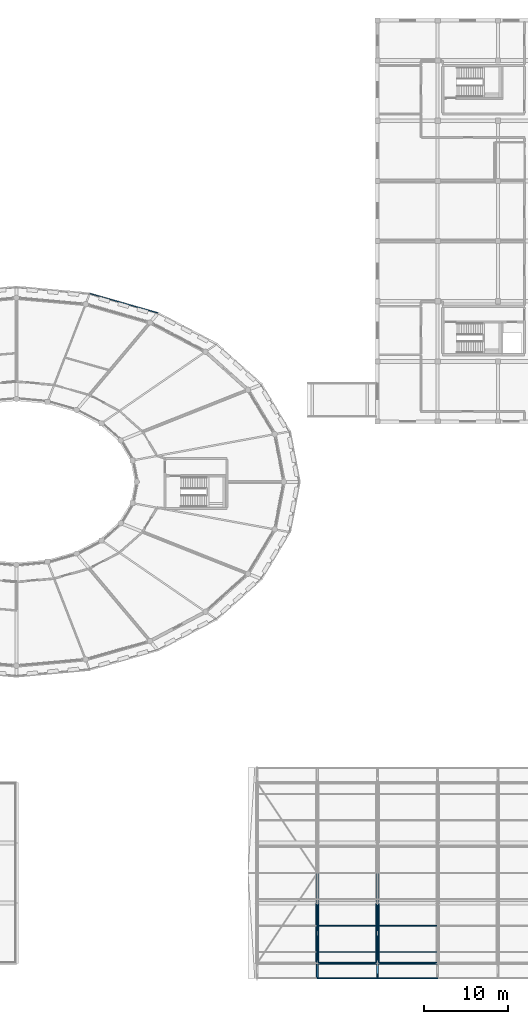
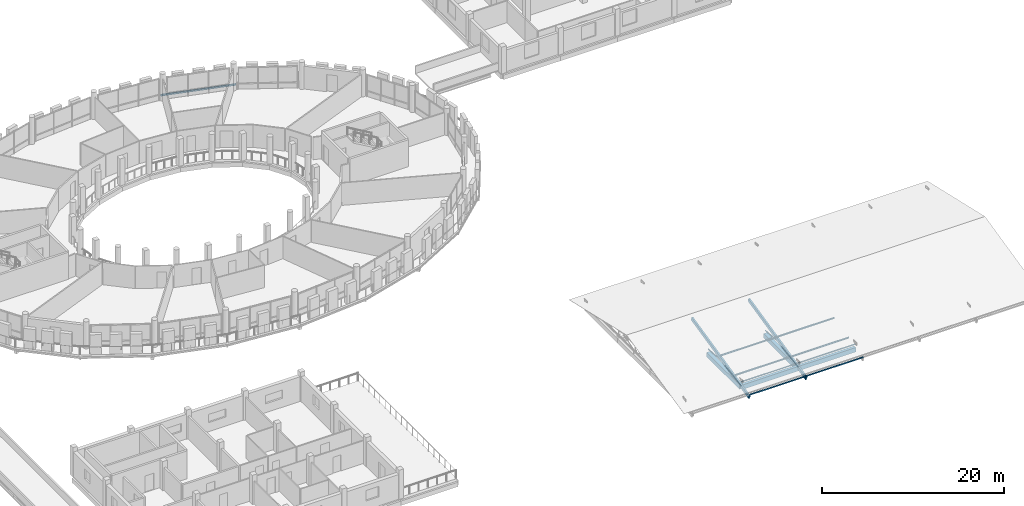
# One storey, part 53 of 93: 14 members, 5 beams.
"""IFC4 building model written with IfcOpenShell, lengths in metres."""

from ifc_helpers import new_model, si_unit, direction, frame, origin, origin_2d, place, context, subcontext, project, spatial, rectangle, hollow_rectangle, hollow_circle, i_section, extrude, material, material_profile, profile_set, type_object, element, save


model = new_model("IFC4")

# Units and contexts
model_context = context("Model", 3, precision=1e-05, world=origin(), true_north=direction((0.0, 1.0)))
body_context = subcontext(model_context, "Body", "Model", "MODEL_VIEW")
ifc_project = project(units=[si_unit("LENGTHUNIT", "METRE"), si_unit("AREAUNIT", "SQUARE_METRE"), si_unit("VOLUMEUNIT", "CUBIC_METRE"), si_unit("PLANEANGLEUNIT", "RADIAN"), si_unit("MASSUNIT", "GRAM", prefix="KILO")], contexts=[model_context])

# Site, building, storey
site_placement = place(None, origin())
site = spatial("IfcSite", under=ifc_project, at=site_placement, CompositionType="ELEMENT")
building_placement = place(site_placement, origin())
building = spatial("IfcBuilding", under=site, at=building_placement, Name="Zornivar Specialist Clinic", CompositionType="ELEMENT")
storey_placement = place(building_placement, frame((0.0, 0.0, 8.39990234375)))
storey = spatial("IfcBuildingStorey", under=building, at=storey_placement, Name="L02", CompositionType="ELEMENT", Elevation=8.39990234375)

# Beams
ifc_material_1 = material(Name="Concrete C30/37", Category="concrete")
ifc_material_profile_1 = material_profile(ifc_material_1, rectangle(XDim=0.43994140625, YDim=0.60009765625, at=origin_2d()), Name="RC 440x600")
ifc_profile_set_1 = profile_set([ifc_material_profile_1], Name="Concrete C30/37")
beam_type_1 = type_object("IfcBeamType", Name="BM-RC-440x600", PredefinedType="BEAM", material=ifc_profile_set_1)
for number, where, z_axis, x_axis, name in (
    (1, (129.60009765625, 0.0, -0.2998046875), (0.0, 1.0, 0.0), (-1.0, 0.0, 0.0), "bm:V4:L02:y:1296:0"),
    (2, (136.800048828125, 0.0, -0.2998046875), (0.0, 1.0, 0.0), (-1.0, 0.0, 0.0), "bm:V4:L02:y:1368:0"),
):
    element("IfcBeam", number, at=place(storey_placement, frame(where, z_axis=z_axis, x_axis=x_axis)), inside=storey, type_object=beam_type_1, Name=name, PredefinedType="BEAM", context=body_context, shape_type="SweptSolid", body=[
        extrude(rectangle(XDim=0.43994140625, YDim=0.60009765625, at=origin_2d()), origin(), (0.0, 0.0, 1.0), 7.199951171875),
    ])
ifc_material_2 = material(Name="Concrete C30/37", Category="concrete")
ifc_material_profile_2 = material_profile(ifc_material_2, rectangle(XDim=0.35009765625, YDim=0.60009765625, at=origin_2d()), Name="RC 350x600")
ifc_profile_set_2 = profile_set([ifc_material_profile_2], Name="Concrete C30/37")
beam_type_2 = type_object("IfcBeamType", Name="BM-RC-SPANDREL-350x600", PredefinedType="SPANDREL", material=ifc_profile_set_2)
for number, where, z_axis, x_axis, name in (
    (3, (129.60009765625, 0.0, -0.2998046875), (1.0, 0.0, 0.0), (0.0, 1.0, 0.0), "bm:V4:L02:x:0:1"),
    (4, (136.800048828125, 0.0, -0.2998046875), (1.0, 0.0, 0.0), (0.0, 1.0, 0.0), "bm:V4:L02:x:0:2"),
):
    element("IfcBeam", number, at=place(storey_placement, frame(where, z_axis=z_axis, x_axis=x_axis)), inside=storey, type_object=beam_type_2, Name=name, PredefinedType="SPANDREL", context=body_context, shape_type="SweptSolid", body=[
        extrude(rectangle(XDim=0.35009765625, YDim=0.60009765625, at=origin_2d()), origin(), (0.0, 0.0, 1.0), 7.199951171875),
    ])
ifc_material_3 = material(Name="Steel S355J2", Category="steel")
ifc_material_profile_3 = material_profile(ifc_material_3, i_section(OverallWidth=0.1201171875, OverallDepth=0.239990234375, WebThickness=0.006103515625, FlangeThickness=0.009765625, FilletRadius=0.014892578125, at=origin_2d()), Name="IPE 240")
ifc_profile_set_3 = profile_set([ifc_material_profile_3], Name="Steel S355J2")
beam_type_3 = type_object("IfcBeamType", Name="BM-STL-IPE240", PredefinedType="JOIST", material=ifc_profile_set_3)
beam_placement = place(storey_placement, frame((110.56005859375, 77.7958984375, -0.35986328125), z_axis=(-0.961783454314, 0.273811225131, 0.0), x_axis=(-0.273811225131, -0.961783454314, 0.0)))
element("IfcBeam", 5, at=beam_placement, inside=storey, type_object=beam_type_3, Name="bm:V1:L02:balring:04", PredefinedType="JOIST", context=body_context, shape_type="SweptSolid", body=[
    extrude(i_section(OverallWidth=0.1201171875, OverallDepth=0.239990234375, WebThickness=0.006103515625, FlangeThickness=0.009765625, FilletRadius=0.014892578125, at=origin_2d()), origin(), (0.0, 0.0, 1.0), 8.50634765625),
])

# Members
ifc_material_4 = material(Name="Steel S355J2", Category="steel")
ifc_material_profile_4 = material_profile(ifc_material_4, hollow_circle(Radius=0.06982421875, WallThickness=0.008056640625, at=origin_2d()), Name="CHS 139.7x8")
ifc_profile_set_4 = profile_set([ifc_material_profile_4], Name="Steel S355J2")
member_type_1 = type_object("IfcMemberType", Name="MEM-DIAG-CHS140", PredefinedType="BRACE", material=ifc_profile_set_4)
for number, where, z_axis, x_axis, name in (
    (6, (129.60009765625, 7.199951171875, 0.340087890625), (0.0, -0.996882634823, 0.0788987477), (1.0, 0.0, 0.0), "mem:V4:L02:diag:1:S:1"),
    (7, (136.800048828125, 7.199951171875, 0.340087890625), (0.0, -0.996882634823, 0.0788987477), (1.0, 0.0, 0.0), "mem:V4:L02:diag:2:S:1"),
):
    element("IfcMember", number, at=place(storey_placement, frame(where, z_axis=z_axis, x_axis=x_axis)), inside=storey, type_object=member_type_1, Name=name, PredefinedType="BRACE", context=body_context, shape_type="SweptSolid", body=[
        extrude(hollow_circle(Radius=0.06982421875, WallThickness=0.008056640625, at=origin_2d()), origin(), (0.0, 0.0, 1.0), 3.611083984375),
    ])
ifc_material_5 = material(Name="Steel S355J2", Category="steel")
ifc_material_profile_5 = material_profile(ifc_material_5, hollow_circle(Radius=0.06982421875, WallThickness=0.010009765625, at=origin_2d()), Name="CHS 139.7x10")
ifc_profile_set_5 = profile_set([ifc_material_profile_5], Name="Steel S355J2")
member_type_2 = type_object("IfcMemberType", Name="MEM-DIAG-CHS140H", PredefinedType="BRACE", material=ifc_profile_set_5)
for number, where, z_axis, x_axis, name in (
    (8, (129.60009765625, 3.60009765625, 0.340087890625), (0.0, -0.988817004891, -0.149133935906), (1.0, 0.0, 0.0), "mem:V4:L02:diag:1:S:2"),
    (9, (136.800048828125, 3.60009765625, 0.340087890625), (0.0, -0.988817004891, -0.149133935906), (1.0, 0.0, 0.0), "mem:V4:L02:diag:2:S:2"),
):
    element("IfcMember", number, at=place(storey_placement, frame(where, z_axis=z_axis, x_axis=x_axis)), inside=storey, type_object=member_type_2, Name=name, PredefinedType="BRACE", context=body_context, shape_type="SweptSolid", body=[
        extrude(hollow_circle(Radius=0.06982421875, WallThickness=0.010009765625, at=origin_2d()), origin(), (0.0, 0.0, 1.0), 3.640869140625),
    ])
ifc_material_6 = material(Name="Steel S355J2", Category="steel")
ifc_material_profile_6 = material_profile(ifc_material_6, hollow_rectangle(XDim=0.080078125, YDim=0.159912109375, WallThickness=0.008056640625, at=origin_2d()), Name="RHS 160x80x8")
ifc_profile_set_6 = profile_set([ifc_material_profile_6], Name="Steel S355J2")
member_type_3 = type_object("IfcMemberType", Name="MEM-EAVE-RHS160", PredefinedType="USERDEFINED", material=ifc_profile_set_6)
for number, where, z_axis, x_axis, name in (
    (10, (129.60009765625, -1.800048828125, -0.305908203125), (1.0, 0.0, 0.0), (0.0, 1.0, 0.0), "mem:V4:L02:purl:1:00"),
    (11, (136.800048828125, -1.800048828125, -0.305908203125), (1.0, 0.0, 0.0), (0.0, 1.0, 0.0), "mem:V4:L02:purl:2:00"),
):
    element("IfcMember", number, at=place(storey_placement, frame(where, z_axis=z_axis, x_axis=x_axis)), inside=storey, type_object=member_type_3, Name=name, ObjectType="EAVE RAFTER", PredefinedType="USERDEFINED", context=body_context, shape_type="SweptSolid", body=[
        extrude(hollow_rectangle(XDim=0.080078125, YDim=0.159912109375, WallThickness=0.008056640625, at=origin_2d()), origin(), (0.0, 0.0, 1.0), 7.199951171875),
    ])
ifc_material_7 = material(Name="Steel S355J2", Category="steel")
ifc_material_profile_7 = material_profile(ifc_material_7, i_section(OverallWidth=0.10009765625, OverallDepth=0.199951171875, WebThickness=0.005615234375, FlangeThickness=0.008544921875, FilletRadius=0.011962890625, at=origin_2d()), Name="IPE 200")
ifc_profile_set_7 = profile_set([ifc_material_profile_7], Name="Steel S355J2")
member_type_4 = type_object("IfcMemberType", Name="MEM-PURLIN-IPE200", PredefinedType="PURLIN", material=ifc_profile_set_7)
for number, where, z_axis, x_axis, name in (
    (12, (129.60009765625, 1.35009765625, 0.419189453125), (1.0, 0.0, 0.0), (0.0, 1.0, 0.0), "mem:V4:L02:purl:1:01"),
    (13, (129.60009765625, 4.5, 1.14404296875), (1.0, 0.0, 0.0), (0.0, 1.0, 0.0), "mem:V4:L02:purl:1:02"),
    (14, (136.800048828125, 1.35009765625, 0.419189453125), (1.0, 0.0, 0.0), (0.0, 1.0, 0.0), "mem:V4:L02:purl:2:01"),
    (15, (136.800048828125, 4.5, 1.14404296875), (1.0, 0.0, 0.0), (0.0, 1.0, 0.0), "mem:V4:L02:purl:2:02"),
):
    element("IfcMember", number, at=place(storey_placement, frame(where, z_axis=z_axis, x_axis=x_axis)), inside=storey, type_object=member_type_4, Name=name, PredefinedType="PURLIN", context=body_context, shape_type="SweptSolid", body=[
        extrude(i_section(OverallWidth=0.10009765625, OverallDepth=0.199951171875, WebThickness=0.005615234375, FlangeThickness=0.008544921875, FilletRadius=0.011962890625, at=origin_2d()), origin(), (0.0, 0.0, 1.0), 7.199951171875),
    ])
ifc_material_8 = material(Name="Glulam GL28h", Category="wood")
ifc_material_profile_8 = material_profile(ifc_material_8, rectangle(XDim=0.199951171875, YDim=0.43994140625, at=origin_2d()), Name="GL28h 200x440")
ifc_profile_set_8 = profile_set([ifc_material_profile_8], Name="Glulam GL28h")
member_type_5 = type_object("IfcMemberType", Name="MEM-RAFTER-GL440", PredefinedType="RAFTER", material=ifc_profile_set_8)
for number, where, z_axis, x_axis, name in (
    (16, (129.60009765625, -1.800048828125, -0.617919921875), (0.0, 0.974523416147, 0.224285780604), (-1.0, 0.0, 0.0), "mem:V4:L02:rafS:1"),
    (17, (136.800048828125, -1.800048828125, -0.617919921875), (0.0, 0.974523416147, 0.224285780604), (-1.0, 0.0, 0.0), "mem:V4:L02:rafS:2"),
):
    element("IfcMember", number, at=place(storey_placement, frame(where, z_axis=z_axis, x_axis=x_axis)), inside=storey, type_object=member_type_5, Name=name, PredefinedType="RAFTER", context=body_context, shape_type="SweptSolid", body=[
        extrude(rectangle(XDim=0.199951171875, YDim=0.43994140625, at=origin_2d()), origin(), (0.0, 0.0, 1.0), 12.929443359375),
    ])
ifc_material_9 = material(Name="Steel S355J2", Category="steel")
ifc_material_profile_9 = material_profile(ifc_material_9, hollow_circle(Radius=0.084228515625, WallThickness=0.010009765625, at=origin_2d()), Name="CHS 168.3x10")
ifc_profile_set_9 = profile_set([ifc_material_profile_9], Name="Steel S355J2")
member_type_6 = type_object("IfcMemberType", Name="MEM-STRUT-CHS168", PredefinedType="STRUT", material=ifc_profile_set_9)
for number, where, z_axis, x_axis, name in (
    (18, (129.60009765625, 0.0, 0.340087890625), (1.0, 0.0, 0.0), (0.0, 1.0, 0.0), "mem:V4:L02:ltieS:1"),
    (19, (136.800048828125, 0.0, 0.340087890625), (1.0, 0.0, 0.0), (0.0, 1.0, 0.0), "mem:V4:L02:ltieS:2"),
):
    element("IfcMember", number, at=place(storey_placement, frame(where, z_axis=z_axis, x_axis=x_axis)), inside=storey, type_object=member_type_6, Name=name, PredefinedType="STRUT", context=body_context, shape_type="SweptSolid", body=[
        extrude(hollow_circle(Radius=0.084228515625, WallThickness=0.010009765625, at=origin_2d()), origin(), (0.0, 0.0, 1.0), 7.199951171875),
    ])

save(model, "model.ifc")
